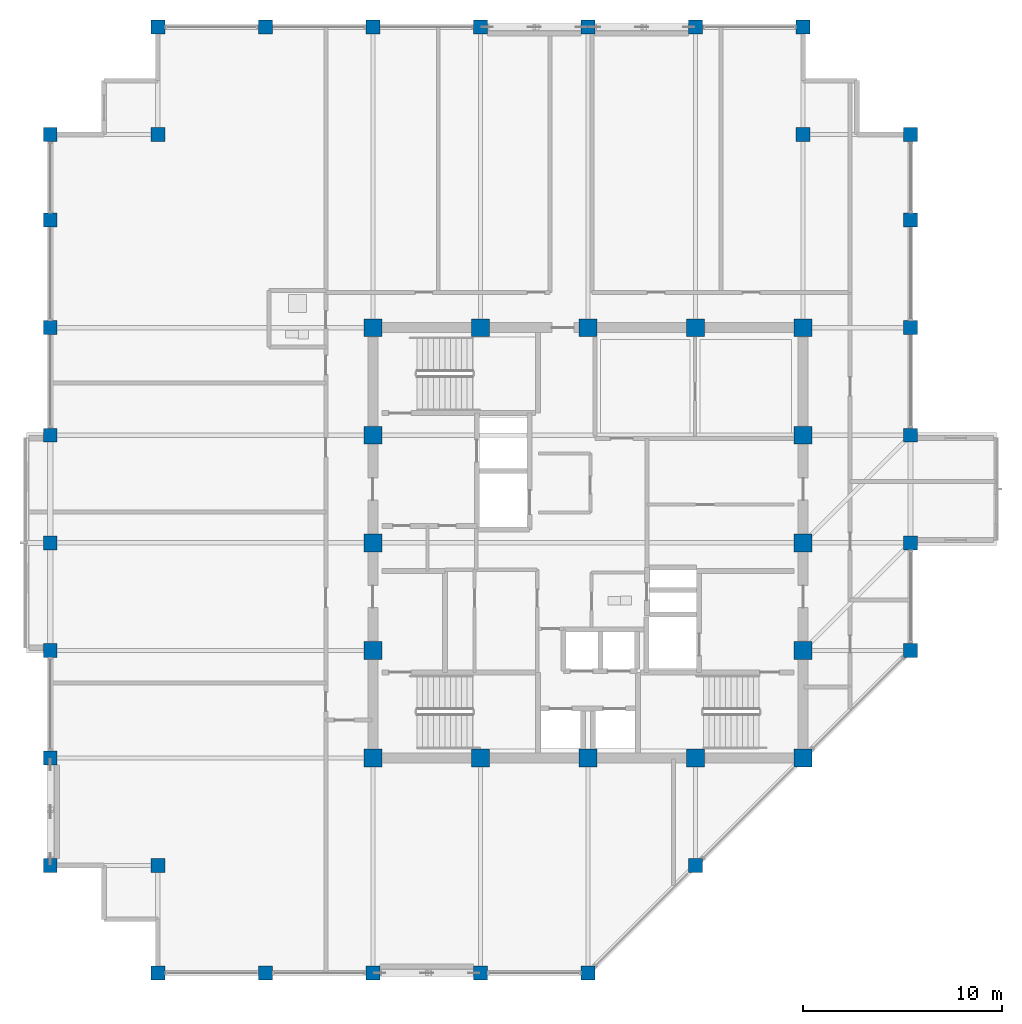
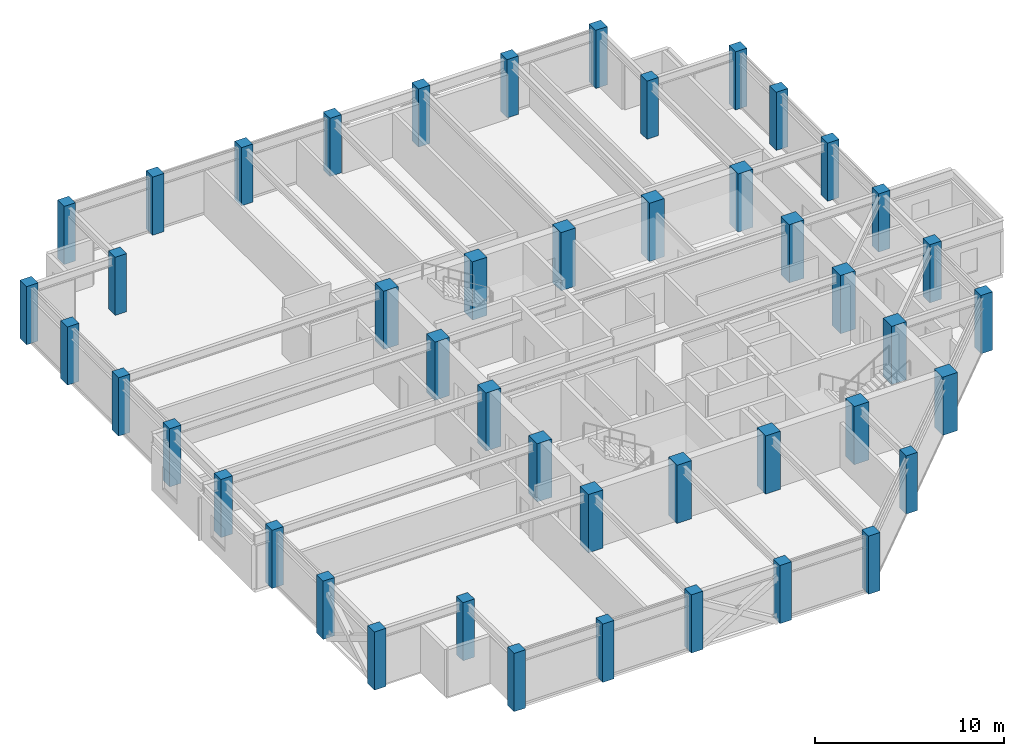
# One storey, part 1 of 30: 46 columns.
"""IFC4 building model written with IfcOpenShell, lengths in metres."""

from ifc_helpers import new_model, si_unit, direction, frame, origin, origin_2d, place, context, subcontext, project, spatial, rectangle, extrude, material, material_profile, profile_set, type_object, element, save


model = new_model("IFC4")

# Units and contexts
model_context = context("Model", 3, precision=1e-05, world=origin(), true_north=direction((0.0, 1.0)))
body_context = subcontext(model_context, "Body", "Model", "MODEL_VIEW")
ifc_project = project(units=[si_unit("LENGTHUNIT", "METRE"), si_unit("AREAUNIT", "SQUARE_METRE"), si_unit("VOLUMEUNIT", "CUBIC_METRE"), si_unit("PLANEANGLEUNIT", "RADIAN"), si_unit("MASSUNIT", "GRAM", prefix="KILO")], contexts=[model_context])

# Site, building, storey
site_placement = place(None, origin())
site = spatial("IfcSite", under=ifc_project, at=site_placement, CompositionType="ELEMENT")
building_placement = place(site_placement, origin())
building = spatial("IfcBuilding", under=site, at=building_placement, Name="Surkhivell Harbour Commons", CompositionType="ELEMENT")
storey_placement = place(building_placement, frame((0.0, 0.0, 307.5)))
storey = spatial("IfcBuildingStorey", under=building, at=storey_placement, Name="L80", CompositionType="ELEMENT", Elevation=307.5)

# Columns
ifc_material_1 = material(Name="Concrete C60/75", Category="concrete")
ifc_material_profile_1 = material_profile(ifc_material_1, rectangle(XDim=0.89990234375, YDim=0.89990234375, at=origin_2d()), Name="RC-COL-900x900")
ifc_profile_set_1 = profile_set([ifc_material_profile_1], Name="Concrete C60/75")
column_type_1 = type_object("IfcColumnType", Name="COL-TUBE-Z3A", PredefinedType="COLUMN", material=ifc_profile_set_1)
for number, where, z_axis, x_axis, name in (
    (1, (-10.800048828125, -10.800048828125, 0.0), (0.0, 0.0, 1.0), (1.0, 0.0, 0.0), "L80 Column CT-3A (-10.8,-10.8)"),
    (2, (-10.800048828125, -5.39990234375, 0.0), (0.0, 0.0, 1.0), (1.0, 0.0, 0.0), "L80 Column CT-3A (-10.8,-5.4)"),
    (3, (-10.800048828125, 0.0, 0.0), (0.0, 0.0, 1.0), (1.0, 0.0, 0.0), "L80 Column CT-3A (-10.8,0.0)"),
    (4, (-10.800048828125, 5.39990234375, 0.0), (0.0, 0.0, 1.0), (1.0, 0.0, 0.0), "L80 Column CT-3A (-10.8,5.4)"),
    (5, (-10.800048828125, 10.800048828125, 0.0), (0.0, 0.0, 1.0), (1.0, 0.0, 0.0), "L80 Column CT-3A (-10.8,10.8)"),
    (6, (-5.39990234375, -10.800048828125, 0.0), (0.0, 0.0, 1.0), (1.0, 0.0, 0.0), "L80 Column CT-3A (-5.4,-10.8)"),
    (7, (-5.39990234375, 10.800048828125, 0.0), (0.0, 0.0, 1.0), (1.0, 0.0, 0.0), "L80 Column CT-3A (-5.4,10.8)"),
    (8, (0.0, -10.800048828125, 0.0), (0.0, 0.0, 1.0), (1.0, 0.0, 0.0), "L80 Column CT-3A (0.0,-10.8)"),
    (9, (0.0, 10.800048828125, 0.0), (0.0, 0.0, 1.0), (1.0, 0.0, 0.0), "L80 Column CT-3A (0.0,10.8)"),
    (10, (5.39990234375, -10.800048828125, 0.0), (0.0, 0.0, 1.0), (1.0, 0.0, 0.0), "L80 Column CT-3A (5.4,-10.8)"),
    (11, (5.39990234375, 10.800048828125, 0.0), (0.0, 0.0, 1.0), (1.0, 0.0, 0.0), "L80 Column CT-3A (5.4,10.8)"),
    (12, (10.800048828125, -10.800048828125, 0.0), (0.0, 0.0, 1.0), (1.0, 0.0, 0.0), "L80 Column CT-3A (10.8,-10.8)"),
    (13, (10.800048828125, -5.39990234375, 0.0), (0.0, 0.0, 1.0), (1.0, 0.0, 0.0), "L80 Column CT-3A (10.8,-5.4)"),
    (14, (10.800048828125, 0.0, 0.0), (0.0, 0.0, 1.0), (1.0, 0.0, 0.0), "L80 Column CT-3A (10.8,0.0)"),
    (15, (10.800048828125, 5.39990234375, 0.0), (0.0, 0.0, 1.0), (1.0, 0.0, 0.0), "L80 Column CT-3A (10.8,5.4)"),
    (16, (10.800048828125, 10.800048828125, 0.0), (0.0, 0.0, 1.0), (1.0, 0.0, 0.0), "L80 Column CT-3A (10.8,10.8)"),
):
    element("IfcColumn", number, at=place(storey_placement, frame(where, z_axis=z_axis, x_axis=x_axis)), inside=storey, type_object=column_type_1, Name=name, PredefinedType="COLUMN", context=body_context, shape_type="SweptSolid", body=[
        extrude(rectangle(XDim=0.89990234375, YDim=0.89990234375, at=origin_2d()), origin(), (0.0, 0.0, 1.0), 3.75),
    ])
ifc_material_2 = material(Name="Concrete C50/60", Category="concrete")
ifc_material_profile_2 = material_profile(ifc_material_2, rectangle(XDim=0.699951171875, YDim=0.699951171875, at=origin_2d()), Name="RC-COL-700x700")
ifc_profile_set_2 = profile_set([ifc_material_profile_2], Name="Concrete C50/60")
column_type_2 = type_object("IfcColumnType", Name="COL-TUBE-Z4", PredefinedType="COLUMN", material=ifc_profile_set_2)
for number, where, z_axis, x_axis, name in (
    (17, (-27.0, -16.199951171875, 0.0), (0.0, 0.0, 1.0), (1.0, 0.0, 0.0), "L80 Column CT-4 (-27.0,-16.2)"),
    (18, (-27.0, -10.800048828125, 0.0), (0.0, 0.0, 1.0), (1.0, 0.0, 0.0), "L80 Column CT-4 (-27.0,-10.8)"),
    (19, (-27.0, -5.39990234375, 0.0), (0.0, 0.0, 1.0), (1.0, 0.0, 0.0), "L80 Column CT-4 (-27.0,-5.4)"),
    (20, (-27.0, 0.0, 0.0), (0.0, 0.0, 1.0), (1.0, 0.0, 0.0), "L80 Column CT-4 (-27.0,0.0)"),
    (21, (-27.0, 5.39990234375, 0.0), (0.0, 0.0, 1.0), (1.0, 0.0, 0.0), "L80 Column CT-4 (-27.0,5.4)"),
    (22, (-27.0, 10.800048828125, 0.0), (0.0, 0.0, 1.0), (1.0, 0.0, 0.0), "L80 Column CT-4 (-27.0,10.8)"),
    (23, (-27.0, 16.199951171875, 0.0), (0.0, 0.0, 1.0), (1.0, 0.0, 0.0), "L80 Column CT-4 (-27.0,16.2)"),
    (24, (-27.0, 20.5, 0.0), (0.0, 0.0, 1.0), (1.0, 0.0, 0.0), "L80 Column CT-4 (-27.0,20.5)"),
    (25, (-21.60009765625, -21.60009765625, 0.0), (0.0, 0.0, 1.0), (1.0, 0.0, 0.0), "L80 Column CT-4 (-21.6,-21.6)"),
    (26, (-21.60009765625, -16.199951171875, 0.0), (0.0, 0.0, 1.0), (1.0, 0.0, 0.0), "L80 Column CT-4 (-21.6,-16.2)"),
    (27, (-21.60009765625, 20.5, 0.0), (0.0, 0.0, 1.0), (1.0, 0.0, 0.0), "L80 Column CT-4 (-21.6,20.5)"),
    (28, (-21.60009765625, 25.89990234375, 0.0), (0.0, 0.0, 1.0), (1.0, 0.0, 0.0), "L80 Column CT-4 (-21.6,25.9)"),
    (29, (-16.199951171875, -21.60009765625, 0.0), (0.0, 0.0, 1.0), (1.0, 0.0, 0.0), "L80 Column CT-4 (-16.2,-21.6)"),
    (30, (-16.199951171875, 25.89990234375, 0.0), (0.0, 0.0, 1.0), (1.0, 0.0, 0.0), "L80 Column CT-4 (-16.2,25.9)"),
    (31, (-10.800048828125, -21.60009765625, 0.0), (0.0, 0.0, 1.0), (1.0, 0.0, 0.0), "L80 Column CT-4 (-10.8,-21.6)"),
    (32, (-10.800048828125, 25.89990234375, 0.0), (0.0, 0.0, 1.0), (1.0, 0.0, 0.0), "L80 Column CT-4 (-10.8,25.9)"),
    (33, (-5.39990234375, -21.60009765625, 0.0), (0.0, 0.0, 1.0), (1.0, 0.0, 0.0), "L80 Column CT-4 (-5.4,-21.6)"),
    (34, (-5.39990234375, 25.89990234375, 0.0), (0.0, 0.0, 1.0), (1.0, 0.0, 0.0), "L80 Column CT-4 (-5.4,25.9)"),
    (35, (0.0, -21.60009765625, 0.0), (0.0, 0.0, 1.0), (1.0, 0.0, 0.0), "L80 Column CT-4 (-0.0,-21.6)"),
    (36, (0.0, 25.89990234375, 0.0), (0.0, 0.0, 1.0), (1.0, 0.0, 0.0), "L80 Column CT-4 (-0.0,25.9)"),
    (37, (5.39990234375, -16.199951171875, 0.0), (0.0, 0.0, 1.0), (1.0, 0.0, 0.0), "L80 Column CT-4 (5.4,-16.2)"),
    (38, (5.39990234375, 25.89990234375, 0.0), (0.0, 0.0, 1.0), (1.0, 0.0, 0.0), "L80 Column CT-4 (5.4,25.9)"),
    (39, (10.800048828125, 20.5, 0.0), (0.0, 0.0, 1.0), (1.0, 0.0, 0.0), "L80 Column CT-4 (10.8,20.5)"),
    (40, (10.800048828125, 25.89990234375, 0.0), (0.0, 0.0, 1.0), (1.0, 0.0, 0.0), "L80 Column CT-4 (10.8,25.9)"),
    (41, (16.199951171875, -5.39990234375, 0.0), (0.0, 0.0, 1.0), (1.0, 0.0, 0.0), "L80 Column CT-4 (16.2,-5.4)"),
    (42, (16.199951171875, 0.0, 0.0), (0.0, 0.0, 1.0), (1.0, 0.0, 0.0), "L80 Column CT-4 (16.2,0.0)"),
    (43, (16.199951171875, 5.39990234375, 0.0), (0.0, 0.0, 1.0), (1.0, 0.0, 0.0), "L80 Column CT-4 (16.2,5.4)"),
    (44, (16.199951171875, 10.800048828125, 0.0), (0.0, 0.0, 1.0), (1.0, 0.0, 0.0), "L80 Column CT-4 (16.2,10.8)"),
    (45, (16.199951171875, 16.199951171875, 0.0), (0.0, 0.0, 1.0), (1.0, 0.0, 0.0), "L80 Column CT-4 (16.2,16.2)"),
    (46, (16.199951171875, 20.5, 0.0), (0.0, 0.0, 1.0), (1.0, 0.0, 0.0), "L80 Column CT-4 (16.2,20.5)"),
):
    element("IfcColumn", number, at=place(storey_placement, frame(where, z_axis=z_axis, x_axis=x_axis)), inside=storey, type_object=column_type_2, Name=name, PredefinedType="COLUMN", context=body_context, shape_type="SweptSolid", body=[
        extrude(rectangle(XDim=0.699951171875, YDim=0.699951171875, at=origin_2d()), origin(), (0.0, 0.0, 1.0), 3.75),
    ])

save(model, "model.ifc")
